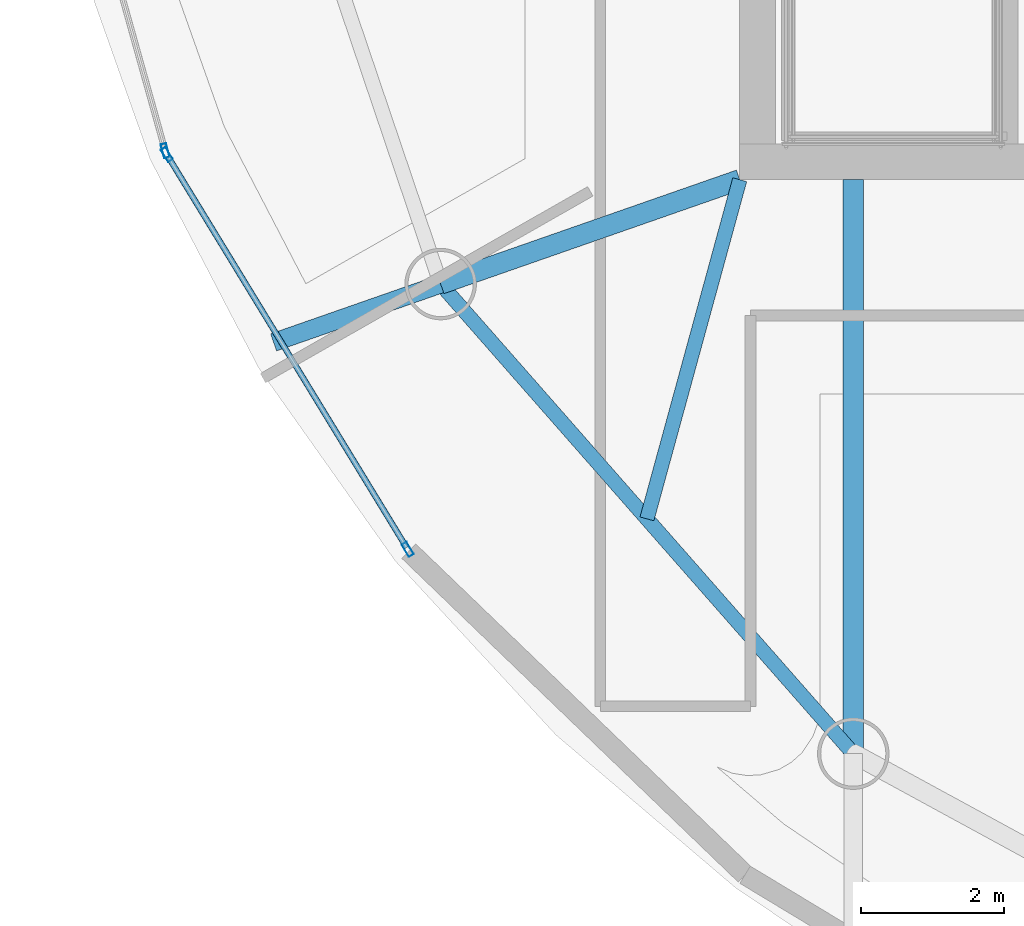
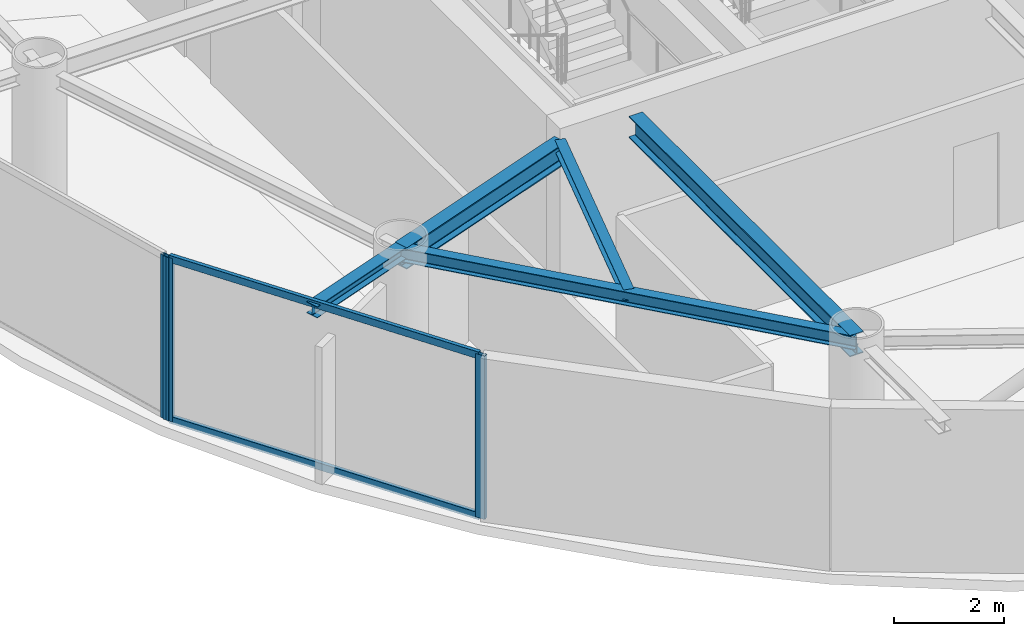
# One storey, part 2 of 19: 5 beams, 5 members, 2 elements without a shape of their own.
"""IFC4 building model written with IfcOpenShell, lengths in metres."""

import ifcopenshell
import ifcopenshell.guid

model = None  # the IFC model being written
_history = None  # IfcOwnerHistory: only IFC2X3 demands one
_inside = {}  # id of a spatial element -> (the spatial element, [elements in it])
_under = {}  # id of a project, library or spatial element -> (it, [spatial elements below it])
_declared = {}  # id of a project -> (the project, [libraries it declares])
_typed = {}  # id of a type object -> (the type object, [elements of that type])
_made_of = {}  # id of a material, layer set ... -> (it, [elements and type objects made of it])


def new_model(schema):
    """Start an empty IFC model of exactly this schema.

    Asked for "IFC4X3", IfcOpenShell would pick the latest addendum, in which some entities
    have other attributes; the version numbers below select the first issue.
    IFC2X3 requires an IfcOwnerHistory on every rooted entity: one is made here for all.
    """
    global model, _history
    if schema == "IFC4X3":
        model = ifcopenshell.file(schema_version=(4, 3, 0, 0))
    else:
        model = ifcopenshell.file(schema=schema)
    _inside.clear()
    _under.clear()
    _declared.clear()
    _typed.clear()
    _made_of.clear()
    _history = None
    if model.schema == "IFC2X3":
        org = make("IfcOrganization", Name="unknown")
        user = make(
            "IfcPersonAndOrganization",
            ThePerson=make("IfcPerson", FamilyName="unknown"),
            TheOrganization=org,
        )
        app = make(
            "IfcApplication",
            ApplicationDeveloper=org,
            Version="unknown",
            ApplicationFullName="unknown",
            ApplicationIdentifier="unknown",
        )
        _history = make(
            "IfcOwnerHistory",
            OwningUser=user,
            OwningApplication=app,
            ChangeAction="ADDED",
            CreationDate=0,
        )
    return model


def make(cls, **values):
    """One entity of the class cls with the attributes given. An attribute that is None is left unset."""
    return model.create_entity(
        cls, **{name: value for name, value in values.items() if value is not None}
    )


def rooted(cls, **values):
    """An entity with a GlobalId (a new one), such as an element, a storey or a relation."""
    return make(cls, GlobalId=ifcopenshell.guid.new(), OwnerHistory=_history, **values)


def si_unit(unit_type, name, prefix=None):
    """IfcSIUnit, for example si_unit("LENGTHUNIT", "METRE", prefix="MILLI")."""
    return make("IfcSIUnit", UnitType=unit_type, Prefix=prefix, Name=name)


def assignment(units):
    """IfcUnitAssignment: the units of a project."""
    return None if units is None else make("IfcUnitAssignment", Units=units)


def point(xyz):
    """IfcCartesianPoint."""
    return None if xyz is None else make("IfcCartesianPoint", Coordinates=xyz)


def direction(xyz):
    """IfcDirection."""
    return None if xyz is None else make("IfcDirection", DirectionRatios=xyz)


def frame(location, z_axis=None, x_axis=None):
    """IfcAxis2Placement3D, a coordinate frame: its origin and axes. An axis left out is left unset."""
    return make(
        "IfcAxis2Placement3D",
        Location=point(location),
        Axis=direction(z_axis),
        RefDirection=direction(x_axis),
    )


def frame_2d(location, x_axis=None):
    """IfcAxis2Placement2D, a coordinate frame in the plane: its origin and x axis."""
    return make(
        "IfcAxis2Placement2D", Location=point(location), RefDirection=direction(x_axis)
    )


def origin():
    """The frame at (0, 0, 0) with its axes left unset."""
    return frame((0.0, 0.0, 0.0))


def origin_2d():
    """The frame at (0, 0) in the plane with its x axis left unset."""
    return frame_2d((0.0, 0.0))


def place(relative_to, where):
    """IfcLocalPlacement: puts the frame where relative to a parent placement (None: the world)."""
    return make(
        "IfcLocalPlacement", PlacementRelTo=relative_to, RelativePlacement=where
    )


def context(
    kind, dimensions, precision=None, world=None, true_north=None, identifier=None
):
    """IfcGeometricRepresentationContext, for example the 3D "Model" context."""
    return make(
        "IfcGeometricRepresentationContext",
        ContextIdentifier=identifier,
        ContextType=kind,
        CoordinateSpaceDimension=dimensions,
        Precision=precision,
        WorldCoordinateSystem=world,
        TrueNorth=true_north,
    )


def subcontext(parent, identifier, kind, view, scale=None):
    """IfcGeometricRepresentationSubContext, for example "Body" below "Model"."""
    return make(
        "IfcGeometricRepresentationSubContext",
        ContextIdentifier=identifier,
        ContextType=kind,
        ParentContext=parent,
        TargetScale=scale,
        TargetView=view,
    )


def project(units=None, contexts=None):
    """IfcProject with its units and contexts."""
    return rooted(
        "IfcProject",
        Name="project",
        RepresentationContexts=contexts,
        UnitsInContext=assignment(units),
    )


def spatial(cls, under=None, at=None, **own):
    """A site, building, storey or space (cls), placed at a placement, below another one or the project."""
    s = rooted(cls, ObjectPlacement=at, **own)
    if under is not None:
        _under.setdefault(under.id(), (under, []))[1].append(s)
    return s


def profile(cls, at=None, kind="AREA", **sizes):
    """A parametric profile (cls). Its sizes go by their IFC names, for example OverallWidth=200.0."""
    return make(cls, ProfileType=kind, Position=at, **sizes)


def hollow_rectangle(**sizes):
    """IfcRectangleHollowProfileDef."""
    return profile("IfcRectangleHollowProfileDef", **sizes)


def i_section(**sizes):
    """IfcIShapeProfileDef."""
    return profile("IfcIShapeProfileDef", **sizes)


def extrude(swept, where, along, depth):
    """IfcExtrudedAreaSolid: the profile swept, set in the frame where, extruded along a direction by depth."""
    return make(
        "IfcExtrudedAreaSolid",
        SweptArea=swept,
        Position=where,
        ExtrudedDirection=direction(along),
        Depth=depth,
    )


def shape(context_of_items, identifier, shape_type, items):
    """IfcShapeRepresentation: the items that make up one representation, for example the "Body"."""
    return make(
        "IfcShapeRepresentation",
        ContextOfItems=context_of_items,
        RepresentationIdentifier=identifier,
        RepresentationType=shape_type,
        Items=items,
    )


def material(Name=None, Category=None):
    """IfcMaterial."""
    return make("IfcMaterial", Name=Name, Category=Category)


def layer(
    of_material, thickness, ventilated=None, Name=None, Category=None, Priority=None
):
    """IfcMaterialLayer: one layer of a wall or slab, of a material (None: an air gap)."""
    return make(
        "IfcMaterialLayer",
        Material=of_material,
        LayerThickness=thickness,
        IsVentilated=ventilated,
        Name=Name,
        Category=Category,
        Priority=Priority,
    )


def layer_set(layers, Name=None):
    """IfcMaterialLayerSet."""
    return make("IfcMaterialLayerSet", MaterialLayers=layers, LayerSetName=Name)


def material_profile(
    of_material, cross_section, Name=None, Category=None, Priority=None
):
    """IfcMaterialProfile: a cross section and its material."""
    return make(
        "IfcMaterialProfile",
        Name=Name,
        Material=of_material,
        Profile=cross_section,
        Priority=Priority,
        Category=Category,
    )


def profile_set(profiles, Name=None, composite=None):
    """IfcMaterialProfileSet."""
    return make(
        "IfcMaterialProfileSet",
        Name=Name,
        MaterialProfiles=profiles,
        CompositeProfile=composite,
    )


def made_of(thing, what):
    """Note that an element or type object is made of a material, layer set ...; save() writes the relation."""
    if what is not None:
        _made_of.setdefault(what.id(), (what, []))[1].append(thing)
    return thing


def type_object(cls, material=None, **own):
    """A type object (cls), such as IfcWallType, which elements share."""
    return made_of(rooted(cls, **own), material)


def element(
    cls,
    number,
    at=None,
    inside=None,
    cuts=None,
    type_object=None,
    material=None,
    context=None,
    identifier="Body",
    shape_type=None,
    held_by="IfcProductDefinitionShape",
    body=None,
    shapes=None,
    **own,
):
    """One element of the class cls, such as IfcWall. Its Tag is "e" and its number.

    at: its placement. inside: the storey or other place that contains it. cuts: it is an
    opening in that element (IfcRelVoidsElement). A single representation is given by context,
    identifier, shape_type and body (its items); several are given by shapes. held_by: the class
    of the entity that holds the representations. save() writes the other relations.
    """
    e = rooted(cls, Tag="e%d" % number, ObjectPlacement=at, **own)
    if body is not None:
        shapes = [shape(context, identifier, shape_type, body)]
    if shapes is not None:
        e.Representation = make(held_by, Representations=shapes)
    if inside is not None:
        _inside.setdefault(inside.id(), (inside, []))[1].append(e)
    if cuts is not None:
        rooted(
            "IfcRelVoidsElement", RelatingBuildingElement=cuts, RelatedOpeningElement=e
        )
    if type_object is not None:
        _typed.setdefault(type_object.id(), (type_object, []))[1].append(e)
    return made_of(e, material)


def aggregate(whole, parts):
    """IfcRelAggregates: a whole, such as a stair, and the parts it consists of."""
    return rooted("IfcRelAggregates", RelatingObject=whole, RelatedObjects=parts)


def save(model, path):
    """Write the relations noted so far, then the file.

    IfcRelAggregates (storeys below a building ...), IfcRelContainedInSpatialStructure (elements
    in a storey), IfcRelDefinesByType, IfcRelAssociatesMaterial and IfcRelDeclares: one each for
    every whole, place, type object, material and project.
    """
    for whole, parts in _under.values():
        aggregate(whole, parts)
    for where, things in _inside.values():
        rooted(
            "IfcRelContainedInSpatialStructure",
            RelatedElements=things,
            RelatingStructure=where,
        )
    for kind, things in _typed.values():
        rooted("IfcRelDefinesByType", RelatedObjects=things, RelatingType=kind)
    for what, things in _made_of.values():
        rooted("IfcRelAssociatesMaterial", RelatedObjects=things, RelatingMaterial=what)
    for by, libraries in _declared.values():
        rooted("IfcRelDeclares", RelatingContext=by, RelatedDefinitions=libraries)
    model.write(path)


model = new_model("IFC4")

# Units and contexts
model_context = context("Model", 3, precision=1e-05, world=origin(), true_north=direction((0.0, 1.0)))
body_context = subcontext(model_context, "Body", "Model", "MODEL_VIEW")
ifc_project = project(units=[si_unit("LENGTHUNIT", "METRE"), si_unit("AREAUNIT", "SQUARE_METRE"), si_unit("VOLUMEUNIT", "CUBIC_METRE"), si_unit("PLANEANGLEUNIT", "RADIAN"), si_unit("MASSUNIT", "GRAM", prefix="KILO")], contexts=[model_context])

# Site, building, storey
site_placement = place(None, origin())
site = spatial("IfcSite", under=ifc_project, at=site_placement, CompositionType="ELEMENT")
building_placement = place(site_placement, origin())
building = spatial("IfcBuilding", under=site, at=building_placement, Name="Bramvorn Convention Spire", CompositionType="ELEMENT")
storey_placement = place(building_placement, frame((0.0, 0.0, 299.800048828125)))
storey = spatial("IfcBuildingStorey", under=building, at=storey_placement, Name="L76", CompositionType="ELEMENT", Elevation=299.800048828125)

# Beams
ifc_material_1 = material(Name="Steel CSA G40.21 Grade 350 (350W)", Category="steel")
ifc_material_profile_1 = material_profile(ifc_material_1, i_section(OverallWidth=0.201904296875, OverallDepth=0.2470703125, WebThickness=0.00732421875, FlangeThickness=0.010986328125, FilletRadius=0.011962890625, at=origin_2d()))
ifc_profile_set_1 = profile_set([ifc_material_profile_1], Name="Steel CSA G40.21 Grade 350 (350W) - W250X49")
beam_type_1 = type_object("IfcBeamType", Name="BM-W250X49", PredefinedType="JOIST", material=ifc_profile_set_1)
beam_1_placement = place(storey_placement, frame((26.75, 18.550048828125, 3.50146484375), z_axis=(-0.26386506219, -0.96455960363, 0.0), x_axis=(0.96455960363, -0.26386506219, 0.0)))
element("IfcBeam", 1, at=beam_1_placement, inside=storey, type_object=beam_type_1, Name="L76 composite floor joist 13", PredefinedType="JOIST", context=body_context, shape_type="SweptSolid", body=[
    extrude(i_section(OverallWidth=0.201904296875, OverallDepth=0.2470703125, WebThickness=0.00732421875, FlangeThickness=0.010986328125, FilletRadius=0.011962890625, at=origin_2d()), origin(), (0.0, 0.0, 1.0), 4.917724609375),
])
ifc_material_profile_2 = material_profile(ifc_material_1, i_section(OverallWidth=0.25390625, OverallDepth=0.2529296875, WebThickness=0.008544921875, FlangeThickness=0.01416015625, FilletRadius=0.011962890625, at=origin_2d()))
ifc_profile_set_2 = profile_set([ifc_material_profile_2], Name="Steel CSA G40.21 Grade 350 (350W) - W250X73")
beam_type_2 = type_object("IfcBeamType", Name="BM-W250X73", PredefinedType="BEAM", material=ifc_profile_set_2)
beam_2_placement = place(storey_placement, frame((22.5673828125, 17.090087890625, 3.49853515625), z_axis=(-0.944108807883, -0.329633977128, 0.0), x_axis=(0.329633977128, -0.944108807883, 0.0)))
element("IfcBeam", 2, at=beam_2_placement, inside=storey, type_object=beam_type_2, Name="L76 slab-edge cantilever tip beam MC13", PredefinedType="BEAM", context=body_context, shape_type="SweptSolid", body=[
    extrude(i_section(OverallWidth=0.25390625, OverallDepth=0.2529296875, WebThickness=0.008544921875, FlangeThickness=0.01416015625, FilletRadius=0.011962890625, at=origin_2d()), origin(), (0.0, 0.0, 1.0), 2.474365234375),
])
ifc_material_profile_3 = material_profile(ifc_material_1, i_section(OverallWidth=0.202880859375, OverallDepth=0.302978515625, WebThickness=0.007568359375, FlangeThickness=0.01318359375, FilletRadius=0.013916015625, at=origin_2d()))
ifc_profile_set_3 = profile_set([ifc_material_profile_3], Name="Steel CSA G40.21 Grade 350 (350W) - W310X60")
beam_type_3 = type_object("IfcBeamType", Name="BM-W310X60", PredefinedType="JOIST", material=ifc_profile_set_3)
beam_3_placement = place(storey_placement, frame((22.5673828125, 17.090087890625, 3.473388671875), z_axis=(0.660073062339, -0.751201405999, 0.0), x_axis=(0.751201405999, 0.660073062339, 0.0)))
element("IfcBeam", 3, at=beam_3_placement, inside=storey, type_object=beam_type_3, Name="L76 mega-column ring beam 13", PredefinedType="JOIST", context=body_context, shape_type="SweptSolid", body=[
    extrude(i_section(OverallWidth=0.202880859375, OverallDepth=0.302978515625, WebThickness=0.007568359375, FlangeThickness=0.01318359375, FilletRadius=0.013916015625, at=origin_2d()), origin(), (0.0, 0.0, 1.0), 8.741943359375),
])
ifc_material_profile_4 = material_profile(ifc_material_1, i_section(OverallWidth=0.283935546875, OverallDepth=0.47607421875, WebThickness=0.014892578125, FlangeThickness=0.02392578125, FilletRadius=0.01806640625, at=origin_2d()))
ifc_profile_set_4 = profile_set([ifc_material_profile_4], Name="Steel CSA G40.21 Grade 350 (350W) - W460X158")
beam_type_4 = type_object("IfcBeamType", Name="BM-W460X158", PredefinedType="SPANDREL", material=ifc_profile_set_4)
beam_4_placement = place(storey_placement, frame((26.75, 18.550048828125, 3.386962890625), z_axis=(-0.944136391877, -0.329554962843, 0.0), x_axis=(0.329554962843, -0.944136391877, 0.0)))
element("IfcBeam", 4, at=beam_4_placement, inside=storey, type_object=beam_type_4, Name="L76 radial floor girder MC13", PredefinedType="SPANDREL", context=body_context, shape_type="SweptSolid", body=[
    extrude(i_section(OverallWidth=0.283935546875, OverallDepth=0.47607421875, WebThickness=0.014892578125, FlangeThickness=0.02392578125, FilletRadius=0.01806640625, at=origin_2d()), origin(), (0.0, 0.0, 1.0), 4.43017578125),
])
beam_5_placement = place(storey_placement, frame((28.337646484375, 18.550048828125, 3.386962890625), z_axis=(0.0, -1.0, 0.0), x_axis=(1.0, 0.0, 0.0)))
element("IfcBeam", 5, at=beam_5_placement, inside=storey, type_object=beam_type_4, Name="L76 radial floor girder MC14", PredefinedType="SPANDREL", context=body_context, shape_type="SweptSolid", body=[
    extrude(i_section(OverallWidth=0.283935546875, OverallDepth=0.47607421875, WebThickness=0.014892578125, FlangeThickness=0.02392578125, FilletRadius=0.01806640625, at=origin_2d()), origin(), (0.0, 0.0, 1.0), 8.02685546875),
])

# Curtain wall, member
ifc_material_2 = material(Name="Anodised Bronze Unitised Curtain Wall", Category="aluminium")
ifc_layer = layer(ifc_material_2, 0.179931640625)
ifc_layer_set = layer_set([ifc_layer], Name="Anodised Bronze Unitised Curtain Wall - CW-OFF-FRIT")
curtain_wall_type = type_object("IfcCurtainWallType", Name="CW-OFF-FRIT", PredefinedType="USERDEFINED", material=ifc_layer_set)
curtain_wall_1_placement = place(storey_placement, origin())
curtain_wall_1 = element("IfcCurtainWall", 6, at=curtain_wall_1_placement, inside=storey, type_object=curtain_wall_type, Name="L76 fritted glass curtain wall 18", ObjectType="UNITISED CURTAIN WALL", PredefinedType="USERDEFINED")
ifc_material_3 = material(Name="Anodised Bronze Aluminium 6063-T6", Category="aluminium")
ifc_material_profile_5 = material_profile(ifc_material_3, hollow_rectangle(XDim=0.080078125, YDim=0.199951171875, WallThickness=0.00390625, InnerFilletRadius=0.0009765625, OuterFilletRadius=0.00390625, at=origin_2d()))
ifc_profile_set_5 = profile_set([ifc_material_profile_5], Name="Anodised Bronze Aluminium 6063-T6 - CWM80X200")
member_type_1 = type_object("IfcMemberType", Name="CW-MUL-180", PredefinedType="MULLION", material=ifc_profile_set_5)
member_1_placement = place(storey_placement, frame((18.715087890625, 18.955810546875, 0.0), z_axis=(0.0, 0.0, 1.0), x_axis=(-0.963073416236, -0.269238917952, 0.0)))
member_1 = element("IfcMember", 7, at=member_1_placement, type_object=member_type_1, Name="CW3 mullion 1", PredefinedType="MULLION", context=body_context, shape_type="SweptSolid", body=[
    extrude(hollow_rectangle(XDim=0.080078125, YDim=0.199951171875, WallThickness=0.00390625, InnerFilletRadius=0.0009765625, OuterFilletRadius=0.00390625, at=origin_2d()), origin(), (0.0, 0.0, 1.0), 3.625),
])
aggregate(curtain_wall_1, [member_1])

# Curtain wall, members
curtain_wall_2_placement = place(storey_placement, origin())
curtain_wall_2 = element("IfcCurtainWall", 8, at=curtain_wall_2_placement, inside=storey, type_object=curtain_wall_type, Name="L76 fritted glass curtain wall 19", ObjectType="UNITISED CURTAIN WALL", PredefinedType="USERDEFINED")
member_2_placement = place(storey_placement, frame((22.1064453125, 13.380126953125, 0.0), z_axis=(0.0, 0.0, 1.0), x_axis=(-0.8537200929, -0.520732179704, 0.0)))
member_2 = element("IfcMember", 9, at=member_2_placement, type_object=member_type_1, Name="CW3 mullion 1", PredefinedType="MULLION", context=body_context, shape_type="SweptSolid", body=[
    extrude(hollow_rectangle(XDim=0.080078125, YDim=0.199951171875, WallThickness=0.00390625, InnerFilletRadius=0.0009765625, OuterFilletRadius=0.00390625, at=origin_2d()), origin(), (0.0, 0.0, 1.0), 3.625),
])
member_3_placement = place(storey_placement, frame((18.73876953125, 18.901123046875, 0.0), z_axis=(0.0, 0.0, 1.0), x_axis=(-0.8537200929, -0.520732179704, 0.0)))
member_3 = element("IfcMember", 10, at=member_3_placement, type_object=member_type_1, Name="CW3 mullion 2", PredefinedType="MULLION", context=body_context, shape_type="SweptSolid", body=[
    extrude(hollow_rectangle(XDim=0.080078125, YDim=0.199951171875, WallThickness=0.00390625, InnerFilletRadius=0.0009765625, OuterFilletRadius=0.00390625, at=origin_2d()), origin(), (0.0, 0.0, 1.0), 3.625),
])
ifc_material_profile_6 = material_profile(ifc_material_3, hollow_rectangle(XDim=0.080078125, YDim=0.159912109375, WallThickness=0.00390625, InnerFilletRadius=0.0009765625, OuterFilletRadius=0.00390625, at=origin_2d()))
ifc_profile_set_6 = profile_set([ifc_material_profile_6], Name="Anodised Bronze Aluminium 6063-T6 - CWT80X160")
member_type_2 = type_object("IfcMemberType", Name="CW-TRN-150", PredefinedType="USERDEFINED", material=ifc_profile_set_6)
member_4_placement = place(storey_placement, frame((22.0908203125, 13.40576171875, 0.030029296875), z_axis=(-0.520746982502, 0.85371106366, 0.0), x_axis=(-0.85371106366, -0.520746982502, 0.0)))
member_4 = element("IfcMember", 11, at=member_4_placement, type_object=member_type_2, Name="CW3 transom 1.1", ObjectType="TRANSOM", PredefinedType="USERDEFINED", context=body_context, shape_type="SweptSolid", body=[
    extrude(hollow_rectangle(XDim=0.080078125, YDim=0.159912109375, WallThickness=0.00390625, InnerFilletRadius=0.0009765625, OuterFilletRadius=0.00390625, at=origin_2d()), origin(), (0.0, 0.0, 1.0), 6.406982421875),
])
member_5_placement = place(storey_placement, frame((22.0908203125, 13.40576171875, 3.594970703125), z_axis=(-0.520746982502, 0.85371106366, 0.0), x_axis=(-0.85371106366, -0.520746982502, 0.0)))
member_5 = element("IfcMember", 12, at=member_5_placement, type_object=member_type_2, Name="CW3 transom 1.2", ObjectType="TRANSOM", PredefinedType="USERDEFINED", context=body_context, shape_type="SweptSolid", body=[
    extrude(hollow_rectangle(XDim=0.080078125, YDim=0.159912109375, WallThickness=0.00390625, InnerFilletRadius=0.0009765625, OuterFilletRadius=0.00390625, at=origin_2d()), origin(), (0.0, 0.0, 1.0), 6.406982421875),
])
aggregate(curtain_wall_2, [member_2, member_3, member_4, member_5])

save(model, "model.ifc")
